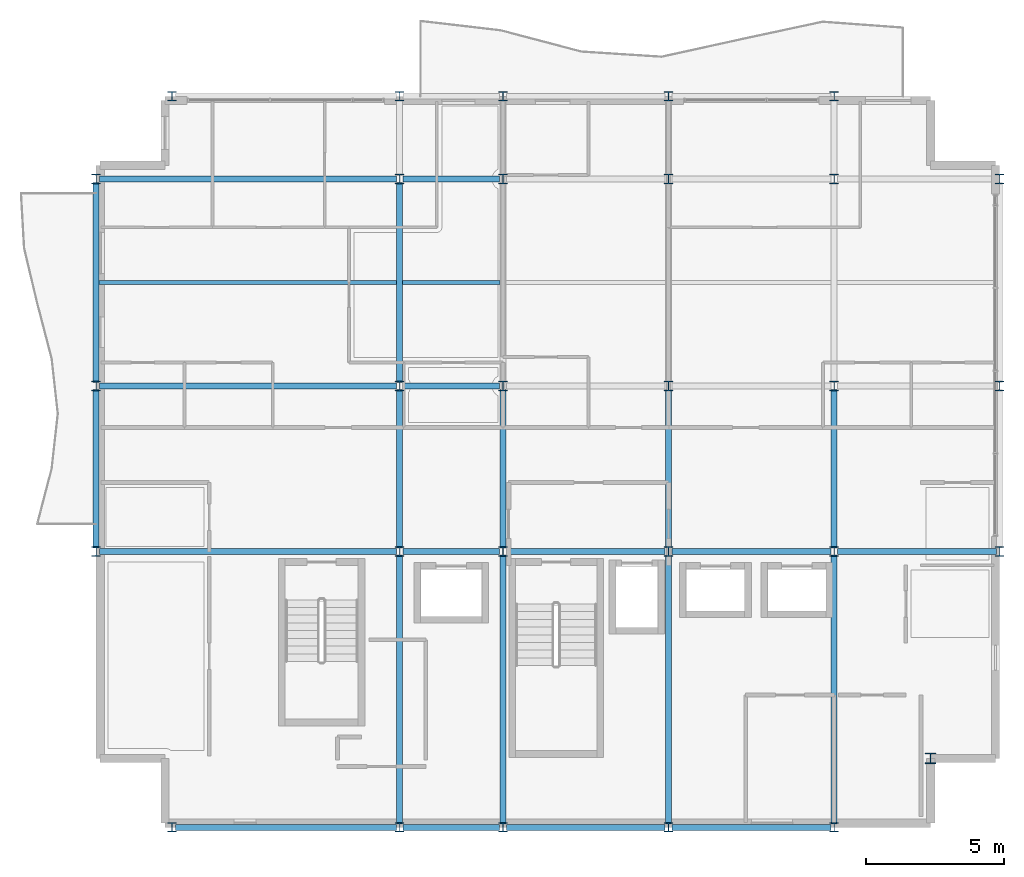
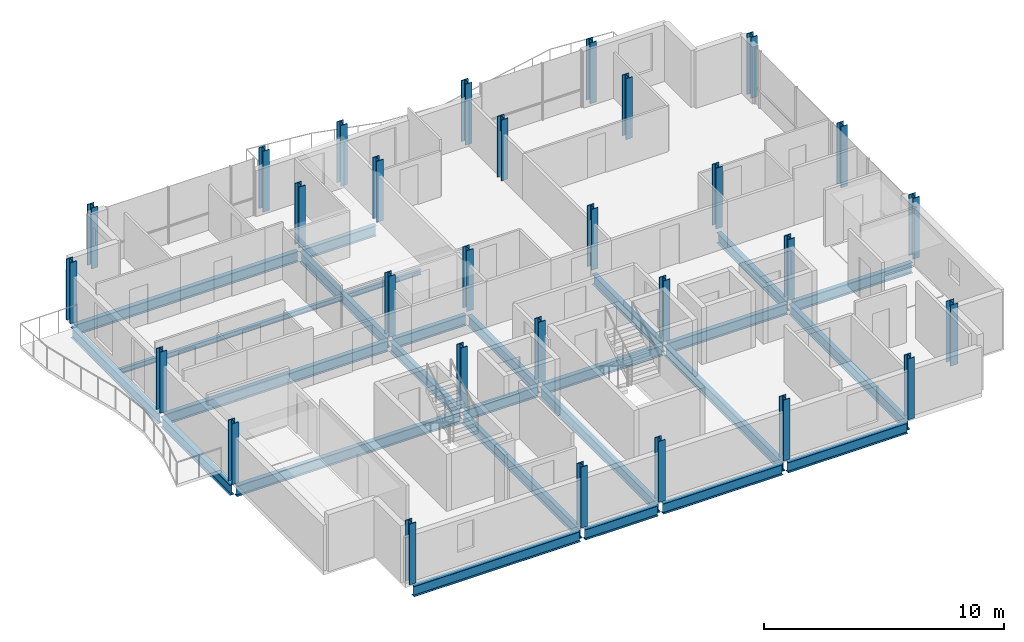
# One storey, part 1 of 12: 29 columns, 26 beams.
"""IFC4 building model written with IfcOpenShell, lengths in metres."""

from ifc_helpers import new_model, si_unit, direction, frame, origin, origin_2d, place, context, subcontext, project, spatial, i_section, extrude, material, material_profile, profile_set, type_object, element, save


model = new_model("IFC4")

# Units and contexts
model_context = context("Model", 3, precision=1e-05, world=origin(), true_north=direction((0.0, 1.0)))
body_context = subcontext(model_context, "Body", "Model", "MODEL_VIEW")
ifc_project = project(units=[si_unit("LENGTHUNIT", "METRE"), si_unit("AREAUNIT", "SQUARE_METRE"), si_unit("VOLUMEUNIT", "CUBIC_METRE"), si_unit("PLANEANGLEUNIT", "RADIAN"), si_unit("MASSUNIT", "GRAM", prefix="KILO")], contexts=[model_context])

# Site, building, storey
site_placement = place(None, origin())
site = spatial("IfcSite", under=ifc_project, at=site_placement, CompositionType="ELEMENT")
building_placement = place(site_placement, origin())
building = spatial("IfcBuilding", under=site, at=building_placement, Name="Brevholm Reach", CompositionType="ELEMENT")
storey_placement = place(building_placement, frame((0.0, 0.0, 227.300048828125)))
storey = spatial("IfcBuildingStorey", under=building, at=storey_placement, Name="L69", CompositionType="ELEMENT", Elevation=227.300048828125)

# Columns
ifc_material_1 = material(Name="Structural Steel S355J2", Category="steel")
ifc_material_profile_1 = material_profile(ifc_material_1, i_section(OverallWidth=0.374755859375, OverallDepth=0.37451171875, WebThickness=0.0166015625, FlangeThickness=0.027099609375, FilletRadius=0.01513671875, at=origin_2d()), Name="UKC 356x368x202")
ifc_profile_set_1 = profile_set([ifc_material_profile_1], Name="Structural Steel S355J2")
column_type_1 = type_object("IfcColumnType", Name="COL-UC6", PredefinedType="COLUMN", material=ifc_profile_set_1)
column_placement = place(storey_placement, frame((57.5, 2.5, 0.0), z_axis=(0.0, 0.0, 1.0), x_axis=(1.0, 0.0, 0.0)))
element("IfcColumn", 1, at=column_placement, inside=storey, type_object=column_type_1, Name="L69 Column 26", PredefinedType="COLUMN", context=body_context, shape_type="SweptSolid", body=[
    extrude(i_section(OverallWidth=0.374755859375, OverallDepth=0.37451171875, WebThickness=0.0166015625, FlangeThickness=0.027099609375, FilletRadius=0.01513671875, at=origin_2d()), origin(), (0.0, 0.0, 1.0), 3.099853515625),
])
ifc_material_2 = material(Name="Structural Steel S355J2", Category="steel")
ifc_material_profile_2 = material_profile(ifc_material_2, i_section(OverallWidth=0.318359375, OverallDepth=0.3525390625, WebThickness=0.02294921875, FlangeThickness=0.03759765625, FilletRadius=0.01513671875, at=origin_2d()), Name="UKC 305x305x240")
ifc_profile_set_2 = profile_set([ifc_material_profile_2], Name="Structural Steel S355J2")
column_type_2 = type_object("IfcColumnType", Name="COL-UC6B", PredefinedType="COLUMN", material=ifc_profile_set_2)
for number, where, z_axis, x_axis, name in (
    (2, (27.25, 10.0, 0.0), (0.0, 0.0, 1.0), (1.0, 0.0, 0.0), "L69 Column 01"),
    (3, (27.25, 16.0, 0.0), (0.0, 0.0, 1.0), (1.0, 0.0, 0.0), "L69 Column 02"),
    (4, (27.25, 23.5, 0.0), (0.0, 0.0, 1.0), (1.0, 0.0, 0.0), "L69 Column 03"),
    (5, (30.0, 0.0, 0.0), (0.0, 0.0, 1.0), (1.0, 0.0, 0.0), "L69 Column 04"),
    (6, (30.0, 26.5, 0.0), (0.0, 0.0, 1.0), (1.0, 0.0, 0.0), "L69 Column 05"),
    (7, (38.25, 0.0, 0.0), (0.0, 0.0, 1.0), (1.0, 0.0, 0.0), "L69 Column 06"),
    (8, (38.25, 10.0, 0.0), (0.0, 0.0, 1.0), (1.0, 0.0, 0.0), "L69 Column 07"),
    (9, (38.25, 16.0, 0.0), (0.0, 0.0, 1.0), (1.0, 0.0, 0.0), "L69 Column 08"),
    (10, (38.25, 23.5, 0.0), (0.0, 0.0, 1.0), (1.0, 0.0, 0.0), "L69 Column 09"),
    (11, (38.25, 26.5, 0.0), (0.0, 0.0, 1.0), (1.0, 0.0, 0.0), "L69 Column 10"),
    (12, (42.0, 0.0, 0.0), (0.0, 0.0, 1.0), (1.0, 0.0, 0.0), "L69 Column 11"),
    (13, (42.0, 10.0, 0.0), (0.0, 0.0, 1.0), (1.0, 0.0, 0.0), "L69 Column 12"),
    (14, (42.0, 16.0, 0.0), (0.0, 0.0, 1.0), (1.0, 0.0, 0.0), "L69 Column 13"),
    (15, (42.0, 23.5, 0.0), (0.0, 0.0, 1.0), (1.0, 0.0, 0.0), "L69 Column 14"),
    (16, (42.0, 26.5, 0.0), (0.0, 0.0, 1.0), (1.0, 0.0, 0.0), "L69 Column 15"),
    (17, (48.0, 0.0, 0.0), (0.0, 0.0, 1.0), (1.0, 0.0, 0.0), "L69 Column 16"),
    (18, (48.0, 10.0, 0.0), (0.0, 0.0, 1.0), (1.0, 0.0, 0.0), "L69 Column 17"),
    (19, (48.0, 16.0, 0.0), (0.0, 0.0, 1.0), (1.0, 0.0, 0.0), "L69 Column 18"),
    (20, (48.0, 23.5, 0.0), (0.0, 0.0, 1.0), (1.0, 0.0, 0.0), "L69 Column 19"),
    (21, (48.0, 26.5, 0.0), (0.0, 0.0, 1.0), (1.0, 0.0, 0.0), "L69 Column 20"),
    (22, (54.0, 0.0, 0.0), (0.0, 0.0, 1.0), (1.0, 0.0, 0.0), "L69 Column 21"),
    (23, (54.0, 10.0, 0.0), (0.0, 0.0, 1.0), (1.0, 0.0, 0.0), "L69 Column 22"),
    (24, (54.0, 16.0, 0.0), (0.0, 0.0, 1.0), (1.0, 0.0, 0.0), "L69 Column 23"),
    (25, (54.0, 23.5, 0.0), (0.0, 0.0, 1.0), (1.0, 0.0, 0.0), "L69 Column 24"),
    (26, (54.0, 26.5, 0.0), (0.0, 0.0, 1.0), (1.0, 0.0, 0.0), "L69 Column 25"),
    (27, (60.0, 10.0, 0.0), (0.0, 0.0, 1.0), (1.0, 0.0, 0.0), "L69 Column 27"),
    (28, (60.0, 16.0, 0.0), (0.0, 0.0, 1.0), (1.0, 0.0, 0.0), "L69 Column 28"),
    (29, (60.0, 23.5, 0.0), (0.0, 0.0, 1.0), (1.0, 0.0, 0.0), "L69 Column 29"),
):
    element("IfcColumn", number, at=place(storey_placement, frame(where, z_axis=z_axis, x_axis=x_axis)), inside=storey, type_object=column_type_2, Name=name, PredefinedType="COLUMN", context=body_context, shape_type="SweptSolid", body=[
        extrude(i_section(OverallWidth=0.318359375, OverallDepth=0.3525390625, WebThickness=0.02294921875, FlangeThickness=0.03759765625, FilletRadius=0.01513671875, at=origin_2d()), origin(), (0.0, 0.0, 1.0), 3.099853515625),
    ])

# Beams
ifc_material_3 = material(Name="Structural Steel S355J2", Category="steel")
ifc_material_profile_3 = material_profile(ifc_material_3, i_section(OverallWidth=0.14599609375, OverallDepth=0.25146484375, WebThickness=0.006103515625, FlangeThickness=0.008544921875, FilletRadius=0.007568359375, at=origin_2d()), Name="UKB 254x146x31")
ifc_profile_set_3 = profile_set([ifc_material_profile_3], Name="Structural Steel S355J2")
beam_type_1 = type_object("IfcBeamType", Name="BM-B254", PredefinedType="BEAM", material=ifc_profile_set_3)
beam_1_placement = place(storey_placement, frame((27.354736328125, 19.75, -0.335693359375), z_axis=(1.0, 0.0, 0.0), x_axis=(0.0, 1.0, 0.0)))
element("IfcBeam", 30, at=beam_1_placement, inside=storey, type_object=beam_type_1, Name="L69 Composite Secondary Floor Beam", PredefinedType="BEAM", context=body_context, shape_type="SweptSolid", body=[
    extrude(i_section(OverallWidth=0.14599609375, OverallDepth=0.25146484375, WebThickness=0.006103515625, FlangeThickness=0.008544921875, FilletRadius=0.007568359375, at=origin_2d()), origin(), (0.0, 0.0, 1.0), 10.789794921875),
])
beam_2_placement = place(storey_placement, frame((38.35546875, 19.75, -0.335693359375), z_axis=(1.0, 0.0, 0.0), x_axis=(0.0, 1.0, 0.0)))
element("IfcBeam", 31, at=beam_2_placement, inside=storey, type_object=beam_type_1, Name="L69 Composite Secondary Floor Beam", PredefinedType="BEAM", context=body_context, shape_type="SweptSolid", body=[
    extrude(i_section(OverallWidth=0.14599609375, OverallDepth=0.25146484375, WebThickness=0.006103515625, FlangeThickness=0.008544921875, FilletRadius=0.007568359375, at=origin_2d()), origin(), (0.0, 0.0, 1.0), 3.5390625),
])
ifc_material_4 = material(Name="Structural Steel S355J2", Category="steel")
ifc_material_profile_4 = material_profile(ifc_material_4, i_section(OverallWidth=0.209228515625, OverallDepth=0.533203125, WebThickness=0.010009765625, FlangeThickness=0.015625, FilletRadius=0.0126953125, at=origin_2d()), Name="UKB 533x210x92")
ifc_profile_set_4 = profile_set([ifc_material_profile_4], Name="Structural Steel S355J2")
beam_type_2 = type_object("IfcBeamType", Name="BM-SP533", PredefinedType="SPANDREL", material=ifc_profile_set_4)
beam_3_placement = place(storey_placement, frame((30.1201171875, 0.0, -0.4765625), z_axis=(1.0, 0.0, 0.0), x_axis=(0.0, 1.0, 0.0)))
element("IfcBeam", 32, at=beam_3_placement, inside=storey, type_object=beam_type_2, Name="L69 SP-02 Framing Beam", PredefinedType="SPANDREL", context=body_context, shape_type="SweptSolid", body=[
    extrude(i_section(OverallWidth=0.209228515625, OverallDepth=0.533203125, WebThickness=0.010009765625, FlangeThickness=0.015625, FilletRadius=0.0126953125, at=origin_2d()), origin(), (0.0, 0.0, 1.0), 8.009765625),
])
beam_4_placement = place(storey_placement, frame((38.3701171875, 0.0, -0.4765625), z_axis=(1.0, 0.0, 0.0), x_axis=(0.0, 1.0, 0.0)))
element("IfcBeam", 33, at=beam_4_placement, inside=storey, type_object=beam_type_2, Name="L69 SP-02 Framing Beam", PredefinedType="SPANDREL", context=body_context, shape_type="SweptSolid", body=[
    extrude(i_section(OverallWidth=0.209228515625, OverallDepth=0.533203125, WebThickness=0.010009765625, FlangeThickness=0.015625, FilletRadius=0.0126953125, at=origin_2d()), origin(), (0.0, 0.0, 1.0), 3.509765625),
])
for number, where, z_axis, x_axis, name in (
    (34, (42.1201171875, 0.0, -0.4765625), (1.0, 0.0, 0.0), (0.0, 1.0, 0.0), "L69 SP-02 Framing Beam"),
    (35, (48.1201171875, 0.0, -0.4765625), (1.0, 0.0, 0.0), (0.0, 1.0, 0.0), "L69 SP-02 Framing Beam"),
    (36, (27.25, 10.1201171875, -0.4765625), (0.0, 1.0, 0.0), (-1.0, 0.0, 0.0), "L69 SP-02 Framing Beam"),
):
    element("IfcBeam", number, at=place(storey_placement, frame(where, z_axis=z_axis, x_axis=x_axis)), inside=storey, type_object=beam_type_2, Name=name, PredefinedType="SPANDREL", context=body_context, shape_type="SweptSolid", body=[
        extrude(i_section(OverallWidth=0.209228515625, OverallDepth=0.533203125, WebThickness=0.010009765625, FlangeThickness=0.015625, FilletRadius=0.0126953125, at=origin_2d()), origin(), (0.0, 0.0, 1.0), 5.759765625),
    ])
beam_5_placement = place(storey_placement, frame((27.25, 16.1201171875, -0.4765625), z_axis=(0.0, 1.0, 0.0), x_axis=(-1.0, 0.0, 0.0)))
element("IfcBeam", 37, at=beam_5_placement, inside=storey, type_object=beam_type_2, Name="L69 SP-02 Framing Beam", PredefinedType="SPANDREL", context=body_context, shape_type="SweptSolid", body=[
    extrude(i_section(OverallWidth=0.209228515625, OverallDepth=0.533203125, WebThickness=0.010009765625, FlangeThickness=0.015625, FilletRadius=0.0126953125, at=origin_2d()), origin(), (0.0, 0.0, 1.0), 7.259765625),
])
ifc_material_5 = material(Name="Structural Steel S355J2", Category="steel")
ifc_material_profile_5 = material_profile(ifc_material_5, i_section(OverallWidth=0.210693359375, OverallDepth=0.53955078125, WebThickness=0.01171875, FlangeThickness=0.018798828125, FilletRadius=0.0126953125, at=origin_2d()), Name="UKB 533x210x109")
ifc_profile_set_5 = profile_set([ifc_material_profile_5], Name="Structural Steel S355J2")
beam_type_3 = type_object("IfcBeamType", Name="BM-SP539", PredefinedType="SPANDREL", material=ifc_profile_set_5)
beam_6_placement = place(storey_placement, frame((27.3701171875, 10.0, -0.479736328125), z_axis=(1.0, 0.0, 0.0), x_axis=(0.0, 1.0, 0.0)))
element("IfcBeam", 38, at=beam_6_placement, inside=storey, type_object=beam_type_3, Name="L69 SP-01B Framing Beam", PredefinedType="SPANDREL", context=body_context, shape_type="SweptSolid", body=[
    extrude(i_section(OverallWidth=0.210693359375, OverallDepth=0.53955078125, WebThickness=0.01171875, FlangeThickness=0.018798828125, FilletRadius=0.0126953125, at=origin_2d()), origin(), (0.0, 0.0, 1.0), 10.759765625),
])
beam_7_placement = place(storey_placement, frame((38.3701171875, 10.0, -0.479736328125), z_axis=(1.0, 0.0, 0.0), x_axis=(0.0, 1.0, 0.0)))
element("IfcBeam", 39, at=beam_7_placement, inside=storey, type_object=beam_type_3, Name="L69 SP-01B Framing Beam", PredefinedType="SPANDREL", context=body_context, shape_type="SweptSolid", body=[
    extrude(i_section(OverallWidth=0.210693359375, OverallDepth=0.53955078125, WebThickness=0.01171875, FlangeThickness=0.018798828125, FilletRadius=0.0126953125, at=origin_2d()), origin(), (0.0, 0.0, 1.0), 3.509765625),
])
for number, where, z_axis, x_axis, name in (
    (40, (42.1201171875, 10.0, -0.479736328125), (1.0, 0.0, 0.0), (0.0, 1.0, 0.0), "L69 SP-01B Framing Beam"),
    (41, (48.1201171875, 10.0, -0.479736328125), (1.0, 0.0, 0.0), (0.0, 1.0, 0.0), "L69 SP-01B Framing Beam"),
    (42, (54.1201171875, 10.0, -0.479736328125), (1.0, 0.0, 0.0), (0.0, 1.0, 0.0), "L69 SP-01B Framing Beam"),
):
    element("IfcBeam", number, at=place(storey_placement, frame(where, z_axis=z_axis, x_axis=x_axis)), inside=storey, type_object=beam_type_3, Name=name, PredefinedType="SPANDREL", context=body_context, shape_type="SweptSolid", body=[
        extrude(i_section(OverallWidth=0.210693359375, OverallDepth=0.53955078125, WebThickness=0.01171875, FlangeThickness=0.018798828125, FilletRadius=0.0126953125, at=origin_2d()), origin(), (0.0, 0.0, 1.0), 5.759765625),
    ])
beam_8_placement = place(storey_placement, frame((27.3701171875, 16.0, -0.479736328125), z_axis=(1.0, 0.0, 0.0), x_axis=(0.0, 1.0, 0.0)))
element("IfcBeam", 43, at=beam_8_placement, inside=storey, type_object=beam_type_3, Name="L69 SP-01B Framing Beam", PredefinedType="SPANDREL", context=body_context, shape_type="SweptSolid", body=[
    extrude(i_section(OverallWidth=0.210693359375, OverallDepth=0.53955078125, WebThickness=0.01171875, FlangeThickness=0.018798828125, FilletRadius=0.0126953125, at=origin_2d()), origin(), (0.0, 0.0, 1.0), 10.759765625),
])
beam_9_placement = place(storey_placement, frame((38.3701171875, 16.0, -0.479736328125), z_axis=(1.0, 0.0, 0.0), x_axis=(0.0, 1.0, 0.0)))
element("IfcBeam", 44, at=beam_9_placement, inside=storey, type_object=beam_type_3, Name="L69 SP-01B Framing Beam", PredefinedType="SPANDREL", context=body_context, shape_type="SweptSolid", body=[
    extrude(i_section(OverallWidth=0.210693359375, OverallDepth=0.53955078125, WebThickness=0.01171875, FlangeThickness=0.018798828125, FilletRadius=0.0126953125, at=origin_2d()), origin(), (0.0, 0.0, 1.0), 3.509765625),
])
beam_10_placement = place(storey_placement, frame((27.3701171875, 23.5, -0.479736328125), z_axis=(1.0, 0.0, 0.0), x_axis=(0.0, 1.0, 0.0)))
element("IfcBeam", 45, at=beam_10_placement, inside=storey, type_object=beam_type_3, Name="L69 SP-01B Framing Beam", PredefinedType="SPANDREL", context=body_context, shape_type="SweptSolid", body=[
    extrude(i_section(OverallWidth=0.210693359375, OverallDepth=0.53955078125, WebThickness=0.01171875, FlangeThickness=0.018798828125, FilletRadius=0.0126953125, at=origin_2d()), origin(), (0.0, 0.0, 1.0), 10.759765625),
])
beam_11_placement = place(storey_placement, frame((38.3701171875, 23.5, -0.479736328125), z_axis=(1.0, 0.0, 0.0), x_axis=(0.0, 1.0, 0.0)))
element("IfcBeam", 46, at=beam_11_placement, inside=storey, type_object=beam_type_3, Name="L69 SP-01B Framing Beam", PredefinedType="SPANDREL", context=body_context, shape_type="SweptSolid", body=[
    extrude(i_section(OverallWidth=0.210693359375, OverallDepth=0.53955078125, WebThickness=0.01171875, FlangeThickness=0.018798828125, FilletRadius=0.0126953125, at=origin_2d()), origin(), (0.0, 0.0, 1.0), 3.509765625),
])
beam_12_placement = place(storey_placement, frame((38.25, 0.1201171875, -0.479736328125), z_axis=(0.0, 1.0, 0.0), x_axis=(-1.0, 0.0, 0.0)))
element("IfcBeam", 47, at=beam_12_placement, inside=storey, type_object=beam_type_3, Name="L69 SP-01B Framing Beam", PredefinedType="SPANDREL", context=body_context, shape_type="SweptSolid", body=[
    extrude(i_section(OverallWidth=0.210693359375, OverallDepth=0.53955078125, WebThickness=0.01171875, FlangeThickness=0.018798828125, FilletRadius=0.0126953125, at=origin_2d()), origin(), (0.0, 0.0, 1.0), 9.759765625),
])
beam_13_placement = place(storey_placement, frame((38.25, 10.1201171875, -0.479736328125), z_axis=(0.0, 1.0, 0.0), x_axis=(-1.0, 0.0, 0.0)))
element("IfcBeam", 48, at=beam_13_placement, inside=storey, type_object=beam_type_3, Name="L69 SP-01B Framing Beam", PredefinedType="SPANDREL", context=body_context, shape_type="SweptSolid", body=[
    extrude(i_section(OverallWidth=0.210693359375, OverallDepth=0.53955078125, WebThickness=0.01171875, FlangeThickness=0.018798828125, FilletRadius=0.0126953125, at=origin_2d()), origin(), (0.0, 0.0, 1.0), 5.759765625),
])
beam_14_placement = place(storey_placement, frame((38.25, 16.1201171875, -0.479736328125), z_axis=(0.0, 1.0, 0.0), x_axis=(-1.0, 0.0, 0.0)))
element("IfcBeam", 49, at=beam_14_placement, inside=storey, type_object=beam_type_3, Name="L69 SP-01B Framing Beam", PredefinedType="SPANDREL", context=body_context, shape_type="SweptSolid", body=[
    extrude(i_section(OverallWidth=0.210693359375, OverallDepth=0.53955078125, WebThickness=0.01171875, FlangeThickness=0.018798828125, FilletRadius=0.0126953125, at=origin_2d()), origin(), (0.0, 0.0, 1.0), 7.259765625),
])
beam_15_placement = place(storey_placement, frame((42.0, 0.1201171875, -0.479736328125), z_axis=(0.0, 1.0, 0.0), x_axis=(-1.0, 0.0, 0.0)))
element("IfcBeam", 50, at=beam_15_placement, inside=storey, type_object=beam_type_3, Name="L69 SP-01B Framing Beam", PredefinedType="SPANDREL", context=body_context, shape_type="SweptSolid", body=[
    extrude(i_section(OverallWidth=0.210693359375, OverallDepth=0.53955078125, WebThickness=0.01171875, FlangeThickness=0.018798828125, FilletRadius=0.0126953125, at=origin_2d()), origin(), (0.0, 0.0, 1.0), 9.759765625),
])
beam_16_placement = place(storey_placement, frame((42.0, 10.1201171875, -0.479736328125), z_axis=(0.0, 1.0, 0.0), x_axis=(-1.0, 0.0, 0.0)))
element("IfcBeam", 51, at=beam_16_placement, inside=storey, type_object=beam_type_3, Name="L69 SP-01B Framing Beam", PredefinedType="SPANDREL", context=body_context, shape_type="SweptSolid", body=[
    extrude(i_section(OverallWidth=0.210693359375, OverallDepth=0.53955078125, WebThickness=0.01171875, FlangeThickness=0.018798828125, FilletRadius=0.0126953125, at=origin_2d()), origin(), (0.0, 0.0, 1.0), 5.759765625),
])
beam_17_placement = place(storey_placement, frame((48.0, 0.1201171875, -0.479736328125), z_axis=(0.0, 1.0, 0.0), x_axis=(-1.0, 0.0, 0.0)))
element("IfcBeam", 52, at=beam_17_placement, inside=storey, type_object=beam_type_3, Name="L69 SP-01B Framing Beam", PredefinedType="SPANDREL", context=body_context, shape_type="SweptSolid", body=[
    extrude(i_section(OverallWidth=0.210693359375, OverallDepth=0.53955078125, WebThickness=0.01171875, FlangeThickness=0.018798828125, FilletRadius=0.0126953125, at=origin_2d()), origin(), (0.0, 0.0, 1.0), 9.759765625),
])
beam_18_placement = place(storey_placement, frame((48.0, 10.1201171875, -0.479736328125), z_axis=(0.0, 1.0, 0.0), x_axis=(-1.0, 0.0, 0.0)))
element("IfcBeam", 53, at=beam_18_placement, inside=storey, type_object=beam_type_3, Name="L69 SP-01B Framing Beam", PredefinedType="SPANDREL", context=body_context, shape_type="SweptSolid", body=[
    extrude(i_section(OverallWidth=0.210693359375, OverallDepth=0.53955078125, WebThickness=0.01171875, FlangeThickness=0.018798828125, FilletRadius=0.0126953125, at=origin_2d()), origin(), (0.0, 0.0, 1.0), 5.759765625),
])
beam_19_placement = place(storey_placement, frame((54.0, 0.1201171875, -0.479736328125), z_axis=(0.0, 1.0, 0.0), x_axis=(-1.0, 0.0, 0.0)))
element("IfcBeam", 54, at=beam_19_placement, inside=storey, type_object=beam_type_3, Name="L69 SP-01B Framing Beam", PredefinedType="SPANDREL", context=body_context, shape_type="SweptSolid", body=[
    extrude(i_section(OverallWidth=0.210693359375, OverallDepth=0.53955078125, WebThickness=0.01171875, FlangeThickness=0.018798828125, FilletRadius=0.0126953125, at=origin_2d()), origin(), (0.0, 0.0, 1.0), 9.759765625),
])
beam_20_placement = place(storey_placement, frame((54.0, 10.1201171875, -0.479736328125), z_axis=(0.0, 1.0, 0.0), x_axis=(-1.0, 0.0, 0.0)))
element("IfcBeam", 55, at=beam_20_placement, inside=storey, type_object=beam_type_3, Name="L69 SP-01B Framing Beam", PredefinedType="SPANDREL", context=body_context, shape_type="SweptSolid", body=[
    extrude(i_section(OverallWidth=0.210693359375, OverallDepth=0.53955078125, WebThickness=0.01171875, FlangeThickness=0.018798828125, FilletRadius=0.0126953125, at=origin_2d()), origin(), (0.0, 0.0, 1.0), 5.759765625),
])

save(model, "model.ifc")
